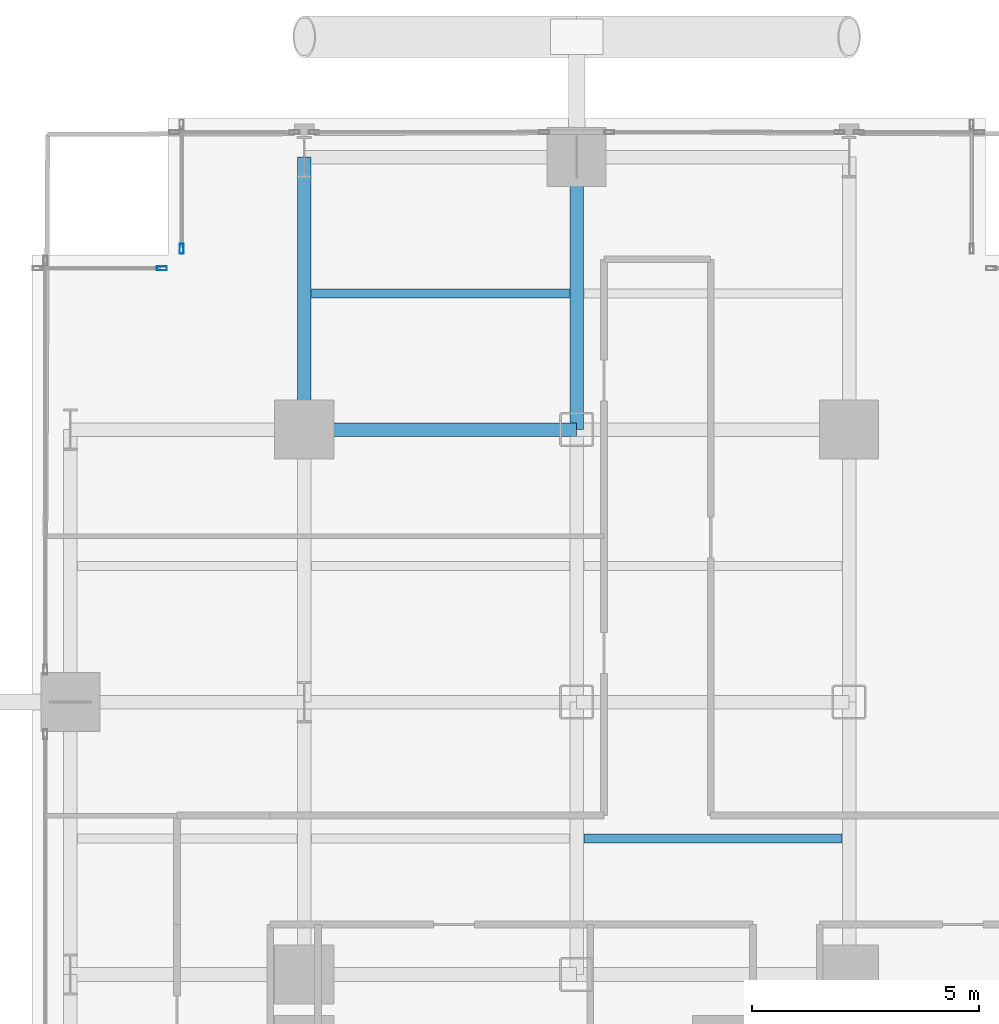
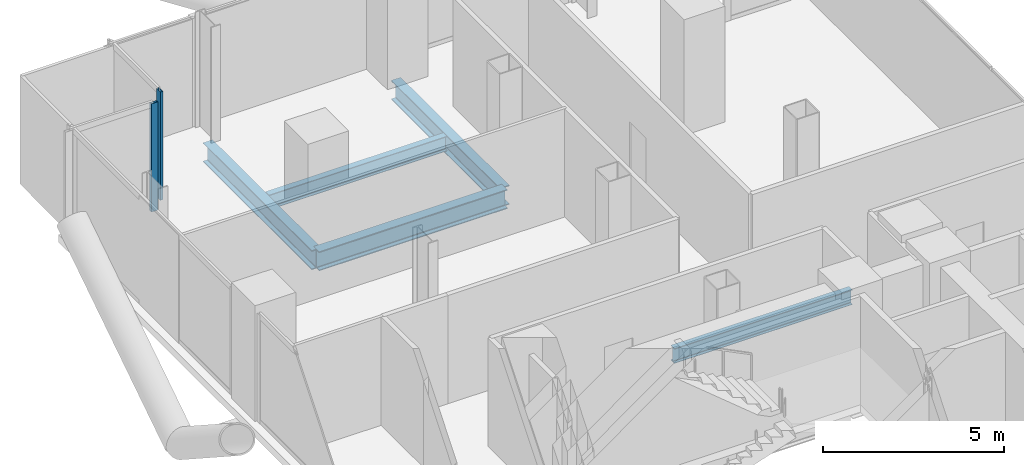
# One storey, part 14 of 25: 5 beams, 2 members, 2 elements without a shape of their own.
"""IFC4 building model written with IfcOpenShell, lengths in metres."""

from ifc_helpers import new_model, si_unit, direction, frame, origin, origin_2d, place, context, subcontext, project, spatial, hollow_rectangle, i_section, extrude, material, layer, layer_set, material_profile, profile_set, type_object, element, aggregate, save


model = new_model("IFC4")

# Units and contexts
model_context = context("Model", 3, precision=1e-05, world=origin(), true_north=direction((0.0, 1.0)))
body_context = subcontext(model_context, "Body", "Model", "MODEL_VIEW")
ifc_project = project(units=[si_unit("LENGTHUNIT", "METRE"), si_unit("AREAUNIT", "SQUARE_METRE"), si_unit("VOLUMEUNIT", "CUBIC_METRE"), si_unit("PLANEANGLEUNIT", "RADIAN"), si_unit("MASSUNIT", "GRAM", prefix="KILO"), si_unit("THERMODYNAMICTEMPERATUREUNIT", "KELVIN"), si_unit("POWERUNIT", "WATT")], contexts=[model_context])

# Site, building, storey
site_placement = place(None, origin())
site = spatial("IfcSite", under=ifc_project, at=site_placement, CompositionType="ELEMENT")
building_placement = place(site_placement, origin())
building = spatial("IfcBuilding", under=site, at=building_placement, Name="Svarakhadi Broadcast Tower", CompositionType="ELEMENT")
storey_placement = place(building_placement, frame((0.0, 0.0, 36.300048828125)))
storey = spatial("IfcBuildingStorey", under=building, at=storey_placement, Name="L07", CompositionType="ELEMENT", Elevation=36.300048828125)

# Beams
ifc_material_1 = material(Name="Steel S355J2 (IS 2062 E350C)", Category="steel")
ifc_material_profile_1 = material_profile(ifc_material_1, i_section(OverallWidth=0.199951171875, OverallDepth=0.5, WebThickness=0.01025390625, FlangeThickness=0.01611328125, FilletRadius=0.02099609375, at=origin_2d()), Name="NPB 500x200x91")
ifc_profile_set_1 = profile_set([ifc_material_profile_1], Name="Steel S355J2 (IS 2062 E350C)")
beam_type_1 = type_object("IfcBeamType", Name="Beam_NPB500", PredefinedType="BEAM", material=ifc_profile_set_1)
for number, where, z_axis, x_axis, name in (
    (1, (6.159912109375, 44.14990234375, -0.5), (1.0, 0.0, 0.0), (0.0, 1.0, 0.0), "L07 Secondary Composite Beam SB012"),
    (2, (12.159912109375, 32.14990234375, -0.5), (1.0, 0.0, 0.0), (0.0, 1.0, 0.0), "L07 Secondary Composite Beam SB016"),
):
    element("IfcBeam", number, at=place(storey_placement, frame(where, z_axis=z_axis, x_axis=x_axis)), inside=storey, type_object=beam_type_1, Name=name, PredefinedType="BEAM", context=body_context, shape_type="SweptSolid", body=[
        extrude(i_section(OverallWidth=0.199951171875, OverallDepth=0.5, WebThickness=0.01025390625, FlangeThickness=0.01611328125, FilletRadius=0.02099609375, at=origin_2d()), origin(), (0.0, 0.0, 1.0), 5.68017578125),
    ])

# Curtain wall, member
ifc_material_2 = material(Name="Anodised Bronze Aluminium AA 6063-T6", Category="aluminium")
ifc_layer = layer(ifc_material_2, 0.219970703125)
ifc_layer_set = layer_set([ifc_layer], Name="Anodised Bronze Aluminium AA 6063-T6")
curtain_wall_type = type_object("IfcCurtainWallType", Name="CW_Sys_02", PredefinedType="NOTDEFINED", material=ifc_layer_set)
curtain_wall_1_placement = place(storey_placement, origin())
curtain_wall_1 = element("IfcCurtainWall", 3, at=curtain_wall_1_placement, inside=storey, type_object=curtain_wall_type, Name="L07 Unitised Facade Curtain Wall 04", PredefinedType="NOTDEFINED")
ifc_material_profile_2 = material_profile(ifc_material_2, hollow_rectangle(XDim=0.0849609375, YDim=0.219970703125, WallThickness=0.006103515625, at=origin_2d()), Name="ALU MULLION 220x85x6")
ifc_profile_set_2 = profile_set([ifc_material_profile_2], Name="Anodised Bronze Aluminium AA 6063-T6")
member_type = type_object("IfcMemberType", Name="CW_Sys_02_Mul", PredefinedType="MULLION", material=ifc_profile_set_2)
member_1_placement = place(storey_placement, frame((2.867431640625, 44.699951171875, 0.0), z_axis=(0.0, 0.0, 1.0), x_axis=(0.0, 1.0, 0.0)))
member_1 = element("IfcMember", 4, at=member_1_placement, type_object=member_type, Name="CW-02 mullion 2", PredefinedType="MULLION", context=body_context, shape_type="SweptSolid", body=[
    extrude(hollow_rectangle(XDim=0.0849609375, YDim=0.219970703125, WallThickness=0.006103515625, at=origin_2d()), origin(), (0.0, 0.0, 1.0), 3.64990234375),
])
aggregate(curtain_wall_1, [member_1])

curtain_wall_2_placement = place(storey_placement, origin())
curtain_wall_2 = element("IfcCurtainWall", 5, at=curtain_wall_2_placement, inside=storey, type_object=curtain_wall_type, Name="L07 Unitised Facade Curtain Wall 05", PredefinedType="NOTDEFINED")
member_2_placement = place(storey_placement, frame((3.300048828125, 45.132568359375, 0.0), z_axis=(0.0, 0.0, 1.0), x_axis=(-1.0, 0.0, 0.0)))
member_2 = element("IfcMember", 6, at=member_2_placement, type_object=member_type, Name="CW-02 mullion 1", PredefinedType="MULLION", context=body_context, shape_type="SweptSolid", body=[
    extrude(hollow_rectangle(XDim=0.0849609375, YDim=0.219970703125, WallThickness=0.006103515625, at=origin_2d()), origin(), (0.0, 0.0, 1.0), 3.64990234375),
])
aggregate(curtain_wall_2, [member_2])

# Beams
ifc_material_profile_3 = material_profile(ifc_material_1, i_section(OverallWidth=0.300048828125, OverallDepth=0.64990234375, WebThickness=0.01611328125, FlangeThickness=0.031005859375, FilletRadius=0.027099609375, at=origin_2d()), Name="WPB 650x300x225")
ifc_profile_set_3 = profile_set([ifc_material_profile_3], Name="Steel S355J2 (IS 2062 E350C)")
beam_type_2 = type_object("IfcBeamType", Name="Girder_WPB650", PredefinedType="USERDEFINED", material=ifc_profile_set_3)
for number, where, z_axis, x_axis, name in (
    (7, (6.0, 41.14990234375, -0.574951171875), (1.0, 0.0, 0.0), (0.0, 1.0, 0.0), "L07 Primary E-W Girder G041"),
    (8, (6.0, 41.14990234375, -0.574951171875), (0.0, 1.0, 0.0), (-1.0, 0.0, 0.0), "L07 Primary N-S Girder G057"),
    (9, (12.0, 41.14990234375, -0.574951171875), (0.0, 1.0, 0.0), (-1.0, 0.0, 0.0), "L07 Primary N-S Girder G063"),
):
    element("IfcBeam", number, at=place(storey_placement, frame(where, z_axis=z_axis, x_axis=x_axis)), inside=storey, type_object=beam_type_2, Name=name, ObjectType="GIRDER", PredefinedType="USERDEFINED", context=body_context, shape_type="SweptSolid", body=[
        extrude(i_section(OverallWidth=0.300048828125, OverallDepth=0.64990234375, WebThickness=0.01611328125, FlangeThickness=0.031005859375, FilletRadius=0.027099609375, at=origin_2d()), origin(), (0.0, 0.0, 1.0), 6.0),
    ])

save(model, "model.ifc")
